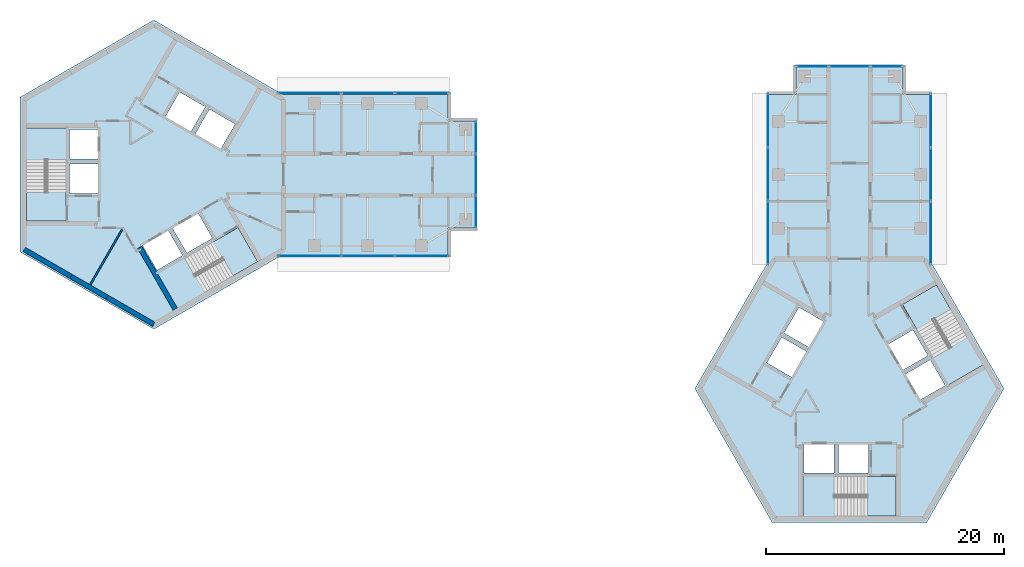
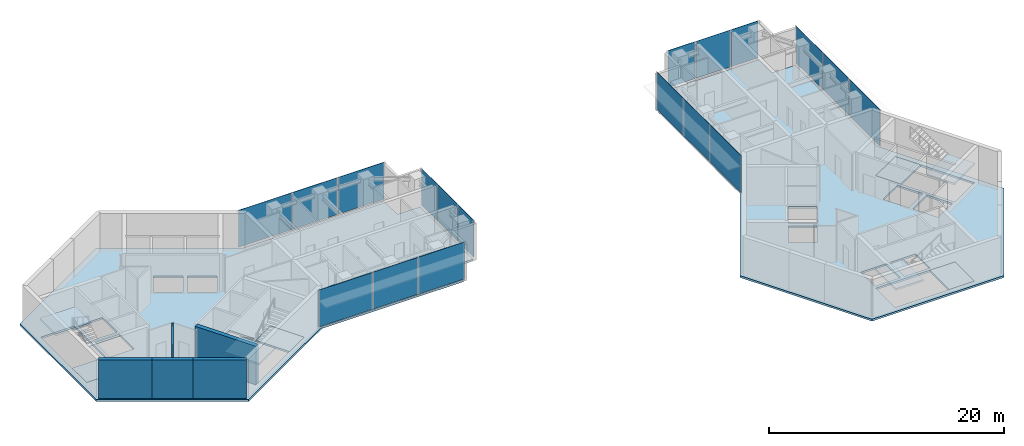
# One storey, part 4 of 11: 18 plates, 10 slabs, 5 walls, 10 elements without a shape of their own.
"""IFC4 building model written with IfcOpenShell, lengths in metres."""

from ifc_helpers import new_model, si_unit, direction, frame, frame_2d, origin, origin_2d, place, context, subcontext, project, spatial, polyline, rectangle, outline, extrude, material, layer, layer_set, type_object, element, aggregate, save


model = new_model("IFC4")

# Units and contexts
model_context = context("Model", 3, precision=1e-05, world=origin(), true_north=direction((0.0, 1.0)))
body_context = subcontext(model_context, "Body", "Model", "MODEL_VIEW")
ifc_project = project(units=[si_unit("LENGTHUNIT", "METRE"), si_unit("AREAUNIT", "SQUARE_METRE"), si_unit("VOLUMEUNIT", "CUBIC_METRE"), si_unit("PLANEANGLEUNIT", "RADIAN"), si_unit("MASSUNIT", "GRAM", prefix="KILO")], contexts=[model_context])

# Site, building, storey
site_placement = place(None, origin())
site = spatial("IfcSite", under=ifc_project, at=site_placement, CompositionType="ELEMENT")
building_placement = place(site_placement, origin())
building = spatial("IfcBuilding", under=site, at=building_placement, Name="Upepo Twin Towers", CompositionType="ELEMENT")
storey_placement = place(building_placement, frame((0.0, 0.0, 247.5)))
storey = spatial("IfcBuildingStorey", under=building, at=storey_placement, Name="L60", CompositionType="ELEMENT", Elevation=247.5)

# Curtain wall, plates
ifc_material_1 = material(Name="Aluminium and fritted glass", Category="aluminium")
curtain_wall_type = type_object("IfcCurtainWallType", Name="Tower curtain wall TW4, fritted glass", PredefinedType="NOTDEFINED", material=ifc_material_1)
curtain_wall_1_placement = place(storey_placement, origin())
curtain_wall_1 = element("IfcCurtainWall", 1, at=curtain_wall_1_placement, inside=storey, type_object=curtain_wall_type, Name="T1 L60 wing A flank L curtain wall", PredefinedType="NOTDEFINED")
ifc_material_2 = material(Name="Ceramic-fritted laminated glass", Category="glass")
ifc_layer_1 = layer(ifc_material_2, 0.031982421875)
ifc_layer_set_1 = layer_set([ifc_layer_1], Name="Fritted glass panel, 65 per cent dot frit, 32 mm double glazed")
plate_type_1 = type_object("IfcPlateType", Name="Fritted glass panel, 65 per cent dot frit, 32 mm double glazed", PredefinedType="CURTAIN_PANEL", material=ifc_layer_set_1)
plate_1_placement = place(storey_placement, frame((13.084716796875, 6.85009765625, 0.14990234375), z_axis=(0.0, 0.0, 1.0), x_axis=(1.0, 0.0, 0.0)))
plate_1 = element("IfcPlate", 2, at=plate_1_placement, type_object=plate_type_1, Name="T1 L60 wing A flank L curtain wall panel 1", PredefinedType="CURTAIN_PANEL", context=body_context, shape_type="SweptSolid", body=[
    extrude(rectangle(XDim=5.265380859375, YDim=0.031982421875, at=origin_2d()), origin(), (0.0, 0.0, 1.0), 3.85009765625),
])
plate_2_placement = place(storey_placement, frame((18.0, 6.85009765625, 0.14990234375), z_axis=(0.0, 0.0, 1.0), x_axis=(1.0, 0.0, 0.0)))
plate_2 = element("IfcPlate", 3, at=plate_2_placement, type_object=plate_type_1, Name="T1 L60 wing A flank L curtain wall panel 2", PredefinedType="CURTAIN_PANEL", context=body_context, shape_type="SweptSolid", body=[
    extrude(rectangle(XDim=4.43505859375, YDim=0.031982421875, at=origin_2d()), origin(), (0.0, 0.0, 1.0), 3.85009765625),
])
plate_3_placement = place(storey_placement, frame((22.53369140625, 6.85009765625, 0.14990234375), z_axis=(0.0, 0.0, 1.0), x_axis=(1.0, 0.0, 0.0)))
plate_3 = element("IfcPlate", 4, at=plate_3_placement, type_object=plate_type_1, Name="T1 L60 wing A flank L curtain wall panel 3", PredefinedType="CURTAIN_PANEL", context=body_context, shape_type="SweptSolid", body=[
    extrude(rectangle(XDim=4.50244140625, YDim=0.031982421875, at=origin_2d()), origin(), (0.0, 0.0, 1.0), 3.85009765625),
])
aggregate(curtain_wall_1, [plate_1, plate_2, plate_3])

curtain_wall_2_placement = place(storey_placement, origin())
curtain_wall_2 = element("IfcCurtainWall", 5, at=curtain_wall_2_placement, inside=storey, type_object=curtain_wall_type, Name="T1 L60 wing A flank R curtain wall", PredefinedType="NOTDEFINED")
plate_4_placement = place(storey_placement, frame((22.53369140625, -6.85009765625, 0.14990234375), z_axis=(0.0, 0.0, 1.0), x_axis=(-1.0, 0.0, 0.0)))
plate_4 = element("IfcPlate", 6, at=plate_4_placement, type_object=plate_type_1, Name="T1 L60 wing A flank R curtain wall panel 1", PredefinedType="CURTAIN_PANEL", context=body_context, shape_type="SweptSolid", body=[
    extrude(rectangle(XDim=4.50244140625, YDim=0.031982421875, at=origin_2d()), origin(), (0.0, 0.0, 1.0), 3.85009765625),
])
plate_5_placement = place(storey_placement, frame((18.0, -6.85009765625, 0.14990234375), z_axis=(0.0, 0.0, 1.0), x_axis=(-1.0, 0.0, 0.0)))
plate_5 = element("IfcPlate", 7, at=plate_5_placement, type_object=plate_type_1, Name="T1 L60 wing A flank R curtain wall panel 2", PredefinedType="CURTAIN_PANEL", context=body_context, shape_type="SweptSolid", body=[
    extrude(rectangle(XDim=4.43505859375, YDim=0.031982421875, at=origin_2d()), origin(), (0.0, 0.0, 1.0), 3.85009765625),
])
plate_6_placement = place(storey_placement, frame((13.084716796875, -6.85009765625, 0.14990234375), z_axis=(0.0, 0.0, 1.0), x_axis=(-1.0, 0.0, 0.0)))
plate_6 = element("IfcPlate", 8, at=plate_6_placement, type_object=plate_type_1, Name="T1 L60 wing A flank R curtain wall panel 3", PredefinedType="CURTAIN_PANEL", context=body_context, shape_type="SweptSolid", body=[
    extrude(rectangle(XDim=5.265380859375, YDim=0.031982421875, at=origin_2d()), origin(), (0.0, 0.0, 1.0), 3.85009765625),
])
aggregate(curtain_wall_2, [plate_4, plate_5, plate_6])

# Curtain wall, plate
curtain_wall_3_placement = place(storey_placement, origin())
curtain_wall_3 = element("IfcCurtainWall", 9, at=curtain_wall_3_placement, inside=storey, type_object=curtain_wall_type, Name="T1 L60 wing A nose curtain wall", PredefinedType="NOTDEFINED")
plate_7_placement = place(storey_placement, frame((27.10009765625, 0.0, 0.14990234375), z_axis=(0.0, 0.0, 1.0), x_axis=(0.0, 1.0, 0.0)))
plate_7 = element("IfcPlate", 10, at=plate_7_placement, type_object=plate_type_1, Name="T1 L60 wing A nose curtain wall panel 2", PredefinedType="CURTAIN_PANEL", context=body_context, shape_type="SweptSolid", body=[
    extrude(rectangle(XDim=3.43505859375, YDim=0.031982421875, at=origin_2d()), origin(), (0.0, 0.0, 1.0), 3.85009765625),
])

# Curtain wall, plates
curtain_wall_4_placement = place(storey_placement, origin())
curtain_wall_4 = element("IfcCurtainWall", 11, at=curtain_wall_4_placement, inside=storey, type_object=curtain_wall_type, Name="T2 L60 wing A flank L curtain wall", PredefinedType="NOTDEFINED")
plate_8_placement = place(storey_placement, frame((51.64990234375, -4.915283203125, 0.14990234375), z_axis=(0.0, 0.0, 1.0), x_axis=(0.0, 1.0, 0.0)))
plate_8 = element("IfcPlate", 12, at=plate_8_placement, type_object=plate_type_1, Name="T2 L60 wing A flank L curtain wall panel 1", PredefinedType="CURTAIN_PANEL", context=body_context, shape_type="SweptSolid", body=[
    extrude(rectangle(XDim=5.265380859375, YDim=0.031982421875, at=origin_2d()), origin(), (0.0, 0.0, 1.0), 3.85009765625),
])
plate_9_placement = place(storey_placement, frame((51.64990234375, 0.0, 0.14990234375), z_axis=(0.0, 0.0, 1.0), x_axis=(0.0, 1.0, 0.0)))
plate_9 = element("IfcPlate", 13, at=plate_9_placement, type_object=plate_type_1, Name="T2 L60 wing A flank L curtain wall panel 2", PredefinedType="CURTAIN_PANEL", context=body_context, shape_type="SweptSolid", body=[
    extrude(rectangle(XDim=4.43505859375, YDim=0.031982421875, at=origin_2d()), origin(), (0.0, 0.0, 1.0), 3.85009765625),
])
plate_10_placement = place(storey_placement, frame((51.64990234375, 4.53369140625, 0.14990234375), z_axis=(0.0, 0.0, 1.0), x_axis=(0.0, 1.0, 0.0)))
plate_10 = element("IfcPlate", 14, at=plate_10_placement, type_object=plate_type_1, Name="T2 L60 wing A flank L curtain wall panel 3", PredefinedType="CURTAIN_PANEL", context=body_context, shape_type="SweptSolid", body=[
    extrude(rectangle(XDim=4.50244140625, YDim=0.031982421875, at=origin_2d()), origin(), (0.0, 0.0, 1.0), 3.85009765625),
])
aggregate(curtain_wall_4, [plate_8, plate_9, plate_10])

curtain_wall_5_placement = place(storey_placement, origin())
curtain_wall_5 = element("IfcCurtainWall", 15, at=curtain_wall_5_placement, inside=storey, type_object=curtain_wall_type, Name="T2 L60 wing A flank R curtain wall", PredefinedType="NOTDEFINED")
plate_11_placement = place(storey_placement, frame((65.35009765625, 4.53369140625, 0.14990234375), z_axis=(0.0, 0.0, 1.0), x_axis=(0.0, -1.0, 0.0)))
plate_11 = element("IfcPlate", 16, at=plate_11_placement, type_object=plate_type_1, Name="T2 L60 wing A flank R curtain wall panel 1", PredefinedType="CURTAIN_PANEL", context=body_context, shape_type="SweptSolid", body=[
    extrude(rectangle(XDim=4.50244140625, YDim=0.031982421875, at=origin_2d()), origin(), (0.0, 0.0, 1.0), 3.85009765625),
])
plate_12_placement = place(storey_placement, frame((65.35009765625, 0.0, 0.14990234375), z_axis=(0.0, 0.0, 1.0), x_axis=(0.0, -1.0, 0.0)))
plate_12 = element("IfcPlate", 17, at=plate_12_placement, type_object=plate_type_1, Name="T2 L60 wing A flank R curtain wall panel 2", PredefinedType="CURTAIN_PANEL", context=body_context, shape_type="SweptSolid", body=[
    extrude(rectangle(XDim=4.43505859375, YDim=0.031982421875, at=origin_2d()), origin(), (0.0, 0.0, 1.0), 3.85009765625),
])
plate_13_placement = place(storey_placement, frame((65.35009765625, -4.915283203125, 0.14990234375), z_axis=(0.0, 0.0, 1.0), x_axis=(0.0, -1.0, 0.0)))
plate_13 = element("IfcPlate", 18, at=plate_13_placement, type_object=plate_type_1, Name="T2 L60 wing A flank R curtain wall panel 3", PredefinedType="CURTAIN_PANEL", context=body_context, shape_type="SweptSolid", body=[
    extrude(rectangle(XDim=5.265380859375, YDim=0.031982421875, at=origin_2d()), origin(), (0.0, 0.0, 1.0), 3.85009765625),
])
aggregate(curtain_wall_5, [plate_11, plate_12, plate_13])

# Curtain wall, plate
curtain_wall_6_placement = place(storey_placement, origin())
curtain_wall_6 = element("IfcCurtainWall", 19, at=curtain_wall_6_placement, inside=storey, type_object=curtain_wall_type, Name="T2 L60 wing A nose curtain wall", PredefinedType="NOTDEFINED")
plate_14_placement = place(storey_placement, frame((58.5, 9.10009765625, 0.14990234375), z_axis=(0.0, 0.0, 1.0), x_axis=(-1.0, 0.0, 0.0)))
plate_14 = element("IfcPlate", 20, at=plate_14_placement, type_object=plate_type_1, Name="T2 L60 wing A nose curtain wall panel 2", PredefinedType="CURTAIN_PANEL", context=body_context, shape_type="SweptSolid", body=[
    extrude(rectangle(XDim=3.43505859375, YDim=0.031982421875, at=origin_2d()), origin(), (0.0, 0.0, 1.0), 3.85009765625),
])

# Plate
ifc_material_3 = material(Name="Clear laminated glass in opening sash", Category="glass")
ifc_layer_2 = layer(ifc_material_3, 0.031982421875)
ifc_layer_set_2 = layer_set([ifc_layer_2], Name="Operable glass panel, 32 mm double glazed")
plate_type_2 = type_object("IfcPlateType", Name="Operable glass panel, 32 mm double glazed", PredefinedType="CURTAIN_PANEL", material=ifc_layer_set_2)
plate_15_placement = place(storey_placement, frame((27.10009765625, -3.108642578125, 0.14990234375), z_axis=(0.0, 0.0, 1.0), x_axis=(0.0, 1.0, 0.0)))
plate_15 = element("IfcPlate", 21, at=plate_15_placement, type_object=plate_type_2, Name="T1 L60 wing A nose curtain wall panel 1", PredefinedType="CURTAIN_PANEL", context=body_context, shape_type="SweptSolid", body=[
    extrude(rectangle(XDim=2.652587890625, YDim=0.031982421875, at=origin_2d()), origin(), (0.0, 0.0, 1.0), 3.85009765625),
])

plate_16_placement = place(storey_placement, frame((27.10009765625, 3.108642578125, 0.14990234375), z_axis=(0.0, 0.0, 1.0), x_axis=(0.0, 1.0, 0.0)))
plate_16 = element("IfcPlate", 22, at=plate_16_placement, type_object=plate_type_2, Name="T1 L60 wing A nose curtain wall panel 3", PredefinedType="CURTAIN_PANEL", context=body_context, shape_type="SweptSolid", body=[
    extrude(rectangle(XDim=2.652587890625, YDim=0.031982421875, at=origin_2d()), origin(), (0.0, 0.0, 1.0), 3.85009765625),
])

aggregate(curtain_wall_3, [plate_15, plate_7, plate_16])

plate_17_placement = place(storey_placement, frame((61.608642578125, 9.10009765625, 0.14990234375), z_axis=(0.0, 0.0, 1.0), x_axis=(-1.0, 0.0, 0.0)))
plate_17 = element("IfcPlate", 23, at=plate_17_placement, type_object=plate_type_2, Name="T2 L60 wing A nose curtain wall panel 1", PredefinedType="CURTAIN_PANEL", context=body_context, shape_type="SweptSolid", body=[
    extrude(rectangle(XDim=2.652587890625, YDim=0.031982421875, at=origin_2d()), origin(), (0.0, 0.0, 1.0), 3.85009765625),
])

plate_18_placement = place(storey_placement, frame((55.391357421875, 9.10009765625, 0.14990234375), z_axis=(0.0, 0.0, 1.0), x_axis=(-1.0, 0.0, 0.0)))
plate_18 = element("IfcPlate", 24, at=plate_18_placement, type_object=plate_type_2, Name="T2 L60 wing A nose curtain wall panel 3", PredefinedType="CURTAIN_PANEL", context=body_context, shape_type="SweptSolid", body=[
    extrude(rectangle(XDim=2.652587890625, YDim=0.031982421875, at=origin_2d()), origin(), (0.0, 0.0, 1.0), 3.85009765625),
])

aggregate(curtain_wall_6, [plate_17, plate_14, plate_18])

# Stair, slabs
ifc_material_4 = material(Name="Concrete C40/50", Category="concrete")
stair_type = type_object("IfcStairType", Name="Core stair, two flights", PredefinedType="HALF_TURN_STAIR", material=ifc_material_4)
stair_1_placement = place(storey_placement, origin())
stair_1 = element("IfcStair", 25, at=stair_1_placement, inside=storey, type_object=stair_type, Name="T1 stair S1 L60", PredefinedType="HALF_TURN_STAIR")
ifc_material_5 = material(Name="Concrete C40/50", Category="concrete")
ifc_layer_3 = layer(ifc_material_5, 0.199951171875)
ifc_layer_set_3 = layer_set([ifc_layer_3], Name="Concrete C40/50")
slab_type_1 = type_object("IfcSlabType", Name="Stair landing 200 RC", PredefinedType="LANDING", material=ifc_layer_set_3)
slab_1_placement = place(storey_placement, frame((0.0, 0.0, -0.199951171875)))
slab_1 = element("IfcSlab", 26, at=slab_1_placement, type_object=slab_type_1, Name="Stair S1 landing 1", PredefinedType="LANDING", context=body_context, shape_type="SweptSolid", body=[
    extrude(outline(polyline([(-7.39990234375, -1.419921875), (-10.708251953125, -1.419921875), (-10.708251953125, -3.89990234375), (-7.39990234375, -3.89990234375), (-7.39990234375, -1.419921875)])), origin(), (0.0, 0.0, 1.0), 0.199951171875),
])
slab_2_placement = place(storey_placement, frame((0.0, 0.0, 1.800048828125)))
slab_2 = element("IfcSlab", 27, at=slab_2_placement, type_object=slab_type_1, Name="Stair S1 landing 2", PredefinedType="LANDING", context=body_context, shape_type="SweptSolid", body=[
    extrude(outline(polyline([(-7.300048828125, 3.89990234375), (-10.808349609375, 3.89990234375), (-10.808349609375, 1.179931640625), (-7.300048828125, 1.179931640625), (-7.300048828125, 3.89990234375)])), origin(), (0.0, 0.0, 1.0), 0.199951171875),
])
aggregate(stair_1, [slab_1, slab_2])

stair_2_placement = place(storey_placement, origin())
stair_2 = element("IfcStair", 28, at=stair_2_placement, inside=storey, type_object=stair_type, Name="T1 stair S2 L60", PredefinedType="HALF_TURN_STAIR")
slab_3_placement = place(storey_placement, frame((0.0, 0.0, -0.199951171875)))
slab_3 = element("IfcSlab", 29, at=slab_3_placement, type_object=slab_type_1, Name="Stair S2 landing 1", PredefinedType="LANDING", context=body_context, shape_type="SweptSolid", body=[
    extrude(outline(polyline([(4.9296875, -5.698486328125), (6.583984375, -8.563720703125), (8.731689453125, -7.32373046875), (7.077392578125, -4.45849609375), (4.9296875, -5.698486328125)])), origin(), (0.0, 0.0, 1.0), 0.199951171875),
])
slab_4_placement = place(storey_placement, frame((0.0, 0.0, 1.800048828125)))
slab_4 = element("IfcSlab", 30, at=slab_4_placement, type_object=slab_type_1, Name="Stair S2 landing 2", PredefinedType="LANDING", context=body_context, shape_type="SweptSolid", body=[
    extrude(outline(polyline([(0.2724609375, -8.27197265625), (2.026611328125, -11.310302734375), (4.38232421875, -9.9501953125), (2.628173828125, -6.911865234375), (0.2724609375, -8.27197265625)])), origin(), (0.0, 0.0, 1.0), 0.199951171875),
])
aggregate(stair_2, [slab_3, slab_4])

stair_3_placement = place(storey_placement, origin())
stair_3 = element("IfcStair", 31, at=stair_3_placement, inside=storey, type_object=stair_type, Name="T2 stair S1 L60", PredefinedType="HALF_TURN_STAIR")
slab_5_placement = place(storey_placement, frame((0.0, 0.0, -0.199951171875)))
slab_5 = element("IfcSlab", 32, at=slab_5_placement, type_object=slab_type_1, Name="Stair S1 landing 1", PredefinedType="LANDING", context=body_context, shape_type="SweptSolid", body=[
    extrude(outline(polyline([(59.919921875, -25.39990234375), (59.919921875, -28.708251953125), (62.39990234375, -28.708251953125), (62.39990234375, -25.39990234375), (59.919921875, -25.39990234375)])), origin(), (0.0, 0.0, 1.0), 0.199951171875),
])
slab_6_placement = place(storey_placement, frame((0.0, 0.0, 1.800048828125)))
slab_6 = element("IfcSlab", 33, at=slab_6_placement, type_object=slab_type_1, Name="Stair S1 landing 2", PredefinedType="LANDING", context=body_context, shape_type="SweptSolid", body=[
    extrude(outline(polyline([(54.60009765625, -25.300048828125), (54.60009765625, -28.808349609375), (57.320068359375, -28.808349609375), (57.320068359375, -25.300048828125), (54.60009765625, -25.300048828125)])), origin(), (0.0, 0.0, 1.0), 0.199951171875),
])
aggregate(stair_3, [slab_5, slab_6])

stair_4_placement = place(storey_placement, origin())
stair_4 = element("IfcStair", 34, at=stair_4_placement, inside=storey, type_object=stair_type, Name="T2 stair S2 L60", PredefinedType="HALF_TURN_STAIR")
slab_7_placement = place(storey_placement, frame((0.0, 0.0, -0.199951171875)))
slab_7 = element("IfcSlab", 35, at=slab_7_placement, type_object=slab_type_1, Name="Stair S2 landing 1", PredefinedType="LANDING", context=body_context, shape_type="SweptSolid", body=[
    extrude(outline(polyline([(64.198486328125, -13.0703125), (67.063720703125, -11.416015625), (65.82373046875, -9.268310546875), (62.95849609375, -10.922607421875), (64.198486328125, -13.0703125)])), origin(), (0.0, 0.0, 1.0), 0.199951171875),
])
slab_8_placement = place(storey_placement, frame((0.0, 0.0, 1.800048828125)))
slab_8 = element("IfcSlab", 36, at=slab_8_placement, type_object=slab_type_1, Name="Stair S2 landing 2", PredefinedType="LANDING", context=body_context, shape_type="SweptSolid", body=[
    extrude(outline(polyline([(66.77197265625, -17.7275390625), (69.810302734375, -15.973388671875), (68.4501953125, -13.61767578125), (65.411865234375, -15.371826171875), (66.77197265625, -17.7275390625)])), origin(), (0.0, 0.0, 1.0), 0.199951171875),
])
aggregate(stair_4, [slab_7, slab_8])

# Slabs
ifc_material_6 = material(Name="Concrete C40/50", Category="concrete")
ifc_layer_4 = layer(ifc_material_6, 0.199951171875)
ifc_layer_set_4 = layer_set([ifc_layer_4], Name="Concrete C40/50")
slab_type_2 = type_object("IfcSlabType", Name="Tower floor slab 200 RC", PredefinedType="FLOOR", material=ifc_layer_set_4)
slab_9_placement = place(storey_placement, frame((0.0, 0.0, -0.199951171875)))
element("IfcSlab", 37, at=slab_9_placement, inside=storey, type_object=slab_type_2, Name="T1 L60 floor slab", PredefinedType="FLOOR", context=body_context, shape_type="SweptSolid", body=[
    extrude(outline(polyline([(0.0, -13.0), (-11.25830078125, -6.5), (-11.25830078125, 6.5), (0.0, 13.0), (10.825439453125, 6.75), (24.75, 6.75), (24.75, 4.5), (27.0, 4.5), (27.0, -4.5), (24.75, -4.5), (24.75, -6.75), (10.825439453125, -6.75), (0.0, -13.0)]), holes=[polyline([(5.640869140625, 2.17041015625), (6.8408203125, 4.248779296875), (4.67578125, 5.498779296875), (3.475830078125, 3.42041015625), (5.640869140625, 2.17041015625)]), polyline([(3.12939453125, 3.620361328125), (4.329345703125, 5.69873046875), (2.164306640625, 6.94873046875), (0.96435546875, 4.870361328125), (3.12939453125, 3.620361328125)]), polyline([(-4.699951171875, 3.800048828125), (-7.10009765625, 3.800048828125), (-7.10009765625, 1.300048828125), (-4.699951171875, 1.300048828125), (-4.699951171875, 3.800048828125)]), polyline([(-4.699951171875, 0.89990234375), (-7.10009765625, 0.89990234375), (-7.10009765625, -1.60009765625), (-4.699951171875, -1.60009765625), (-4.699951171875, 0.89990234375)]), polyline([(-7.39990234375, 3.89990234375), (-10.708251953125, 3.89990234375), (-10.708251953125, -3.89990234375), (-7.39990234375, -3.89990234375), (-7.39990234375, 3.89990234375)]), polyline([(-0.94091796875, -5.97021484375), (0.259033203125, -8.048828125), (2.424072265625, -6.798828125), (1.22412109375, -4.72021484375), (-0.94091796875, -5.97021484375)]), polyline([(1.570556640625, -4.520263671875), (2.7705078125, -6.598876953125), (4.935546875, -5.348876953125), (3.735595703125, -3.270263671875), (1.570556640625, -4.520263671875)]), polyline([(0.322509765625, -8.358642578125), (1.9765625, -11.2236328125), (8.731689453125, -7.32373046875), (7.077392578125, -4.45849609375), (0.322509765625, -8.358642578125)])]), origin(), (0.0, 0.0, 1.0), 0.199951171875),
])
slab_10_placement = place(storey_placement, frame((0.0, 0.0, -0.199951171875)))
element("IfcSlab", 38, at=slab_10_placement, inside=storey, type_object=slab_type_2, Name="T2 L60 floor slab", PredefinedType="FLOOR", context=body_context, shape_type="SweptSolid", body=[
    extrude(outline(polyline([(71.5, -18.0), (65.0, -29.25830078125), (52.0, -29.25830078125), (45.5, -18.0), (51.75, -7.174560546875), (51.75, 6.75), (54.0, 6.75), (54.0, 9.0), (63.0, 9.0), (63.0, 6.75), (65.25, 6.75), (65.25, -7.174560546875), (71.5, -18.0)]), holes=[polyline([(56.32958984375, -12.359130859375), (54.251220703125, -11.1591796875), (53.001220703125, -13.32421875), (55.07958984375, -14.524169921875), (56.32958984375, -12.359130859375)]), polyline([(54.879638671875, -14.87060546875), (52.80126953125, -13.670654296875), (51.55126953125, -15.835693359375), (53.629638671875, -17.03564453125), (54.879638671875, -14.87060546875)]), polyline([(54.699951171875, -22.699951171875), (54.699951171875, -25.10009765625), (57.199951171875, -25.10009765625), (57.199951171875, -22.699951171875), (54.699951171875, -22.699951171875)]), polyline([(57.60009765625, -22.699951171875), (57.60009765625, -25.10009765625), (60.10009765625, -25.10009765625), (60.10009765625, -22.699951171875), (57.60009765625, -22.699951171875)]), polyline([(54.60009765625, -25.39990234375), (54.60009765625, -28.708251953125), (62.39990234375, -28.708251953125), (62.39990234375, -25.39990234375), (54.60009765625, -25.39990234375)]), polyline([(64.47021484375, -18.94091796875), (66.548828125, -17.740966796875), (65.298828125, -15.575927734375), (63.22021484375, -16.77587890625), (64.47021484375, -18.94091796875)]), polyline([(63.020263671875, -16.429443359375), (65.098876953125, -15.2294921875), (63.848876953125, -13.064453125), (61.770263671875, -14.264404296875), (63.020263671875, -16.429443359375)]), polyline([(66.858642578125, -17.677490234375), (69.7236328125, -16.0234375), (65.82373046875, -9.268310546875), (62.95849609375, -10.922607421875), (66.858642578125, -17.677490234375)])]), origin(), (0.0, 0.0, 1.0), 0.199951171875),
])

# Walls
ifc_material_7 = material(Name="Concrete C60/75", Category="concrete")
ifc_layer_5 = layer(ifc_material_7, 0.39990234375)
ifc_layer_set_5 = layer_set([ifc_layer_5], Name="Concrete C60/75")
wall_type_1 = type_object("IfcWallType", Name="Core wall 400 RC", PredefinedType="SHEAR", material=ifc_layer_set_5)
wall_1_placement = place(storey_placement, frame((-10.908447265625, -6.2978515625, 0.0), z_axis=(0.0, 0.0, 1.0), x_axis=(0.866034513004, -0.499984222037, 0.0)))
element("IfcWall", 39, at=wall_1_placement, inside=storey, type_object=wall_type_1, Name="T1 core wall 240 R", PredefinedType="SHEAR", context=body_context, shape_type="SweptSolid", body=[
    extrude(rectangle(XDim=4.548095703125, YDim=0.39990234375, at=frame_2d((2.27392578125, 0.0))), origin(), (0.0, 0.0, 1.0), 4.0),
])
wall_2_placement = place(storey_placement, frame((-6.9697265625, -8.57177734375, 0.0), z_axis=(0.0, 0.0, 1.0), x_axis=(0.866019471182, -0.500010275428, 0.0)))
element("IfcWall", 40, at=wall_2_placement, inside=storey, type_object=wall_type_1, Name="T1 core wall 240", PredefinedType="SHEAR", context=body_context, shape_type="SweptSolid", body=[
    extrude(rectangle(XDim=3.5, YDim=0.39990234375, at=frame_2d((1.75, 0.0))), origin(), (0.0, 0.0, 1.0), 4.0),
])
wall_3_placement = place(storey_placement, frame((-3.938720703125, -10.32177734375, 0.0), z_axis=(0.0, 0.0, 1.0), x_axis=(0.866011268655, -0.500024481964, 0.0)))
element("IfcWall", 41, at=wall_3_placement, inside=storey, type_object=wall_type_1, Name="T1 core wall 240 L", PredefinedType="SHEAR", context=body_context, shape_type="SweptSolid", body=[
    extrude(rectangle(XDim=4.548095703125, YDim=0.39990234375, at=frame_2d((2.27392578125, 0.0))), origin(), (0.0, 0.0, 1.0), 4.0),
])
ifc_material_8 = material(Name="Concrete C40/50", Category="concrete")
ifc_layer_6 = layer(ifc_material_8, 0.39990234375)
ifc_layer_set_6 = layer_set([ifc_layer_6], Name="Concrete C40/50")
wall_type_2 = type_object("IfcWallType", Name="Shaft wall 400 RC", PredefinedType="SHEAR", material=ifc_layer_set_6)
wall_4_placement = place(storey_placement, frame((-1.20068359375, -6.120361328125, 0.0), z_axis=(0.0, 0.0, 1.0), x_axis=(0.499997979876, -0.866026570101, 0.0)))
element("IfcWall", 42, at=wall_4_placement, inside=storey, type_object=wall_type_2, Name="T1 core W300 side wall S", PredefinedType="SHEAR", context=body_context, shape_type="SweptSolid", body=[
    extrude(rectangle(XDim=6.00830078125, YDim=0.39990234375, at=frame_2d((3.004150390625, 0.0))), origin(), (0.0, 0.0, 1.0), 4.0),
])
ifc_material_9 = material(Name="Gypsum board on steel studs", Category="steel")
ifc_layer_7 = layer(ifc_material_9, 0.14990234375)
ifc_layer_set_7 = layer_set([ifc_layer_7], Name="Teaching partition 150 acoustic")
wall_type_3 = type_object("IfcWallType", Name="Teaching partition 150 acoustic", PredefinedType="PARTITIONING", material=ifc_layer_set_7)
wall_5_placement = place(storey_placement, frame((-2.641357421875, -4.574951171875, 0.0), z_axis=(0.0, 0.0, 1.0), x_axis=(-0.500010688608, -0.866019232626, 0.0)))
element("IfcWall", 43, at=wall_5_placement, inside=storey, type_object=wall_type_3, Name="T1 core room partition 18", PredefinedType="PARTITIONING", context=body_context, shape_type="SweptSolid", body=[
    extrude(rectangle(XDim=5.42578125, YDim=0.14990234375, at=frame_2d((2.712890625, 0.0))), origin(), (0.0, 0.0, 1.0), 3.800048828125),
])

save(model, "model.ifc")
